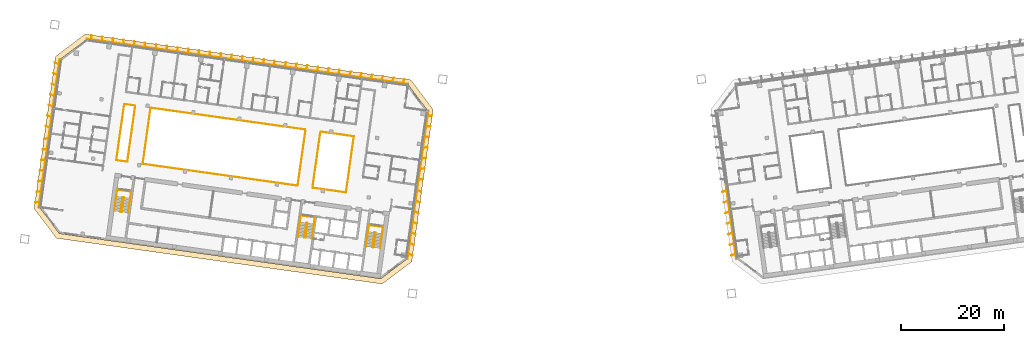
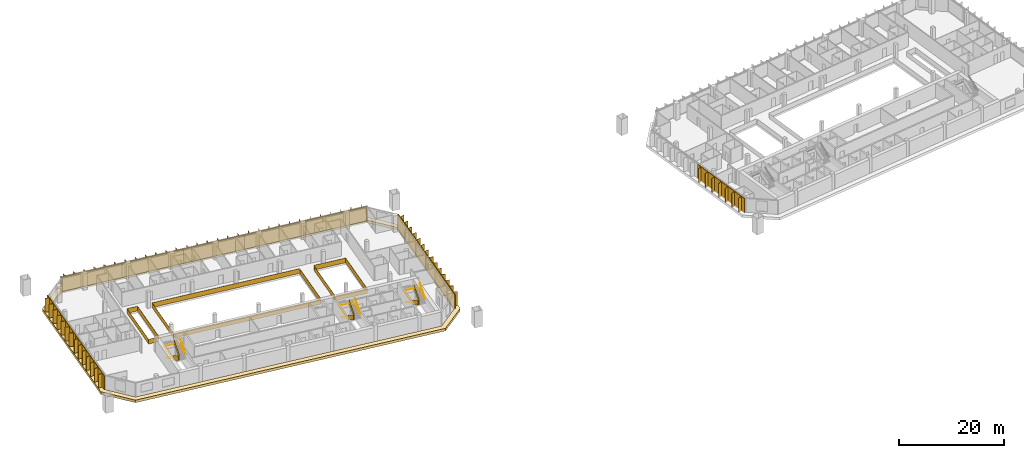
# One storey, part 23 of 24: 11 railings, 10 shading devices, 1 covering.
"""IFC4 building model written with IfcOpenShell, lengths in metres."""

from ifc_helpers import new_model, si_unit, direction, frame, origin, origin_2d, place, context, subcontext, project, spatial, polyline, rectangle, outline, extrude, material, layer, layer_set, type_object, element, save


model = new_model("IFC4")

# Units and contexts
model_context = context("Model", 3, precision=1e-05, world=origin(), true_north=direction((0.0, 1.0)))
body_context = subcontext(model_context, "Body", "Model", "MODEL_VIEW")
ifc_project = project(units=[si_unit("LENGTHUNIT", "METRE"), si_unit("AREAUNIT", "SQUARE_METRE"), si_unit("VOLUMEUNIT", "CUBIC_METRE"), si_unit("PLANEANGLEUNIT", "RADIAN"), si_unit("MASSUNIT", "GRAM", prefix="KILO")], contexts=[model_context])

# Site, building, storey
site_placement = place(None, origin())
site = spatial("IfcSite", under=ifc_project, at=site_placement, CompositionType="ELEMENT")
building_placement = place(site_placement, origin())
building = spatial("IfcBuilding", under=site, at=building_placement, Name="Mirante Cascada Hotel Towers", CompositionType="ELEMENT")
storey_placement = place(building_placement, frame((0.0, 0.0, 110.1)))
storey = spatial("IfcBuildingStorey", under=building, at=storey_placement, Name="L24", CompositionType="ELEMENT", Elevation=110.1)

# Railings
ifc_material_1 = material(Name="Toughened glass with stainless steel handrail", Category="steel")
railing_type_1 = type_object("IfcRailingType", Name="Atrium guard 1100 glass balustrade", PredefinedType="GUARDRAIL", material=ifc_material_1)
railing_1_placement = place(storey_placement, frame((-48.76, 8.3112, 0.0)))
element("IfcRailing", 1, at=railing_1_placement, inside=storey, type_object=railing_type_1, Name="GUARD 1-L24-1", PredefinedType="GUARDRAIL", context=body_context, shape_type="SweptSolid", body=[
    extrude(rectangle(XDim=0.048, YDim=0.048, at=origin_2d()), frame((0.0, 0.0, 1.076), z_axis=(0.9902694, -0.1391638, 0.0), x_axis=(0.1391638, 0.9902694, 0.0)), (0.0, 0.0, 1.0), 6.5125),
    extrude(rectangle(XDim=0.02, YDim=1.052, at=origin_2d()), frame((0.0, 0.0, 0.526), z_axis=(0.9902694, -0.1391638, 0.0), x_axis=(0.1391638, 0.9902694, 0.0)), (0.0, 0.0, 1.0), 6.5125),
    extrude(rectangle(XDim=0.048, YDim=0.048, at=origin_2d()), frame((6.4491, -0.9063, 1.076), z_axis=(-0.1391721, -0.9902682, 0.0), x_axis=(0.9902682, -0.1391721, 0.0)), (0.0, 0.0, 1.0), 11.0001),
    extrude(rectangle(XDim=0.02, YDim=1.052, at=origin_2d()), frame((6.4491, -0.9063, 0.526), z_axis=(-0.1391721, -0.9902682, 0.0), x_axis=(0.9902682, -0.1391721, 0.0)), (0.0, 0.0, 1.0), 11.0001),
    extrude(rectangle(XDim=0.048, YDim=0.048, at=origin_2d()), frame((4.9182, -11.7993, 1.076), z_axis=(-0.9902673, 0.1391788, 0.0), x_axis=(-0.1391788, -0.9902673, 0.0)), (0.0, 0.0, 1.0), 6.5125),
    extrude(rectangle(XDim=0.02, YDim=1.052, at=origin_2d()), frame((4.9182, -11.7993, 0.526), z_axis=(-0.9902673, 0.1391788, 0.0), x_axis=(-0.1391788, -0.9902673, 0.0)), (0.0, 0.0, 1.0), 6.5125),
])
railing_2_placement = place(storey_placement, frame((-53.2617, -2.1642, 0.0)))
element("IfcRailing", 2, at=railing_2_placement, inside=storey, type_object=railing_type_1, Name="GUARD 1-L24-2", PredefinedType="GUARDRAIL", context=body_context, shape_type="SweptSolid", body=[
    extrude(rectangle(XDim=0.048, YDim=0.048, at=origin_2d()), frame((0.0, 0.0, 1.076), z_axis=(-0.9902682, 0.1391722, 0.0), x_axis=(-0.1391722, -0.9902682, 0.0)), (0.0, 0.0, 1.0), 30.325),
    extrude(rectangle(XDim=0.02, YDim=1.052, at=origin_2d()), frame((0.0, 0.0, 0.526), z_axis=(-0.9902682, 0.1391722, 0.0), x_axis=(-0.1391722, -0.9902682, 0.0)), (0.0, 0.0, 1.0), 30.325),
    extrude(rectangle(XDim=0.048, YDim=0.048, at=origin_2d()), frame((-30.0299, 4.2204, 1.076), z_axis=(0.1391721, 0.9902682, 0.0), x_axis=(-0.9902682, 0.1391721, 0.0)), (0.0, 0.0, 1.0), 11.0001),
    extrude(rectangle(XDim=0.02, YDim=1.052, at=origin_2d()), frame((-30.0299, 4.2204, 0.526), z_axis=(0.1391721, 0.9902682, 0.0), x_axis=(-0.9902682, 0.1391721, 0.0)), (0.0, 0.0, 1.0), 11.0001),
    extrude(rectangle(XDim=0.048, YDim=0.048, at=origin_2d()), frame((-28.499, 15.1134, 1.076), z_axis=(0.9902682, -0.1391722, 0.0), x_axis=(0.1391722, 0.9902682, 0.0)), (0.0, 0.0, 1.0), 30.325),
    extrude(rectangle(XDim=0.02, YDim=1.052, at=origin_2d()), frame((-28.499, 15.1134, 0.526), z_axis=(0.9902682, -0.1391722, 0.0), x_axis=(0.1391722, 0.9902682, 0.0)), (0.0, 0.0, 1.0), 30.325),
])
railing_3_placement = place(storey_placement, frame((-86.2624, 2.4738, 0.0)))
element("IfcRailing", 3, at=railing_3_placement, inside=storey, type_object=railing_type_1, Name="GUARD 1-L24-3", PredefinedType="GUARDRAIL", context=body_context, shape_type="SweptSolid", body=[
    extrude(rectangle(XDim=0.048, YDim=0.048, at=origin_2d()), frame((0.0, 0.0, 1.076), z_axis=(-0.9902724, 0.1391422, 0.0), x_axis=(-0.1391422, -0.9902724, 0.0)), (0.0, 0.0, 1.0), 2.1625),
    extrude(rectangle(XDim=0.02, YDim=1.052, at=origin_2d()), frame((0.0, 0.0, 0.526), z_axis=(-0.9902724, 0.1391422, 0.0), x_axis=(-0.1391422, -0.9902724, 0.0)), (0.0, 0.0, 1.0), 2.1625),
    extrude(rectangle(XDim=0.048, YDim=0.048, at=origin_2d()), frame((-2.1415, 0.3009, 1.076), z_axis=(0.1391721, 0.9902682, 0.0), x_axis=(-0.9902682, 0.1391721, 0.0)), (0.0, 0.0, 1.0), 11.0001),
    extrude(rectangle(XDim=0.02, YDim=1.052, at=origin_2d()), frame((-2.1415, 0.3009, 0.526), z_axis=(0.1391721, 0.9902682, 0.0), x_axis=(-0.9902682, 0.1391721, 0.0)), (0.0, 0.0, 1.0), 11.0001),
    extrude(rectangle(XDim=0.048, YDim=0.048, at=origin_2d()), frame((-0.6106, 11.1939, 1.076), z_axis=(0.990266, -0.1391875, 0.0), x_axis=(0.1391875, 0.990266, 0.0)), (0.0, 0.0, 1.0), 2.1626),
    extrude(rectangle(XDim=0.02, YDim=1.052, at=origin_2d()), frame((-0.6106, 11.1939, 0.526), z_axis=(0.990266, -0.1391875, 0.0), x_axis=(0.1391875, 0.990266, 0.0)), (0.0, 0.0, 1.0), 2.1626),
    extrude(rectangle(XDim=0.048, YDim=0.048, at=origin_2d()), frame((1.5309, 10.8929, 1.076), z_axis=(-0.1391733, -0.990268, 0.0), x_axis=(0.990268, -0.1391733, 0.0)), (0.0, 0.0, 1.0), 11.0),
    extrude(rectangle(XDim=0.02, YDim=1.052, at=origin_2d()), frame((1.5309, 10.8929, 0.526), z_axis=(-0.1391733, -0.990268, 0.0), x_axis=(0.990268, -0.1391733, 0.0)), (0.0, 0.0, 1.0), 11.0),
])
railing_4_placement = place(storey_placement, frame((-53.172, -1.8782, 0.0)))
element("IfcRailing", 4, at=railing_4_placement, inside=storey, type_object=railing_type_1, Name="GUARD 1-L24-4", PredefinedType="GUARDRAIL", context=body_context, shape_type="SweptSolid", body=[
    extrude(rectangle(XDim=0.048, YDim=0.048, at=origin_2d()), frame((0.0, 0.0, 1.076), z_axis=(0.1391721, 0.9902682, 0.0), x_axis=(-0.9902682, 0.1391721, 0.0)), (0.0, 0.0, 1.0), 10.4087),
    extrude(rectangle(XDim=0.02, YDim=1.052, at=origin_2d()), frame((0.0, 0.0, 0.526), z_axis=(0.1391721, 0.9902682, 0.0), x_axis=(-0.9902682, 0.1391721, 0.0)), (0.0, 0.0, 1.0), 10.4087),
])
railing_5_placement = place(storey_placement, frame((-48.8497, 8.0253, 0.0)))
element("IfcRailing", 5, at=railing_5_placement, inside=storey, type_object=railing_type_1, Name="GUARD 1-L24-5", PredefinedType="GUARDRAIL", context=body_context, shape_type="SweptSolid", body=[
    extrude(rectangle(XDim=0.048, YDim=0.048, at=origin_2d()), frame((0.0, 0.0, 1.076), z_axis=(-0.1391708, -0.9902684, 0.0), x_axis=(0.9902684, -0.1391708, 0.0)), (0.0, 0.0, 1.0), 10.4088),
    extrude(rectangle(XDim=0.02, YDim=1.052, at=origin_2d()), frame((0.0, 0.0, 0.526), z_axis=(-0.1391708, -0.9902684, 0.0), x_axis=(0.9902684, -0.1391708, 0.0)), (0.0, 0.0, 1.0), 10.4088),
])

# Covering
ifc_material_2 = material(Name="Precast concrete C40/50 white", Category="concrete")
ifc_layer = layer(ifc_material_2, 0.6)
ifc_layer_set = layer_set([ifc_layer], Name="Precast concrete SUNSHADE band 1000x600")
covering_type = type_object("IfcCoveringType", Name="Precast concrete SUNSHADE band 1000x600", PredefinedType="CLADDING", material=ifc_layer_set)
covering_placement = place(storey_placement, frame((0.0, 0.0, -0.45)))
element("IfcCovering", 6, at=covering_placement, inside=storey, type_object=covering_type, Name="Precast concrete SUNSHADE band T1 L24", PredefinedType="CLADDING", context=body_context, shape_type="SweptSolid", body=[
    extrude(outline(polyline([(-104.3652, -6.6094), (-100.2139, 22.9287), (-94.4698, 27.2572), (-31.2626, 18.374), (-26.9341, 12.6299), (-31.0854, -16.9082), (-36.8295, -21.2367), (-100.0367, -12.3535), (-104.3652, -6.6094)]), holes=[polyline([(-27.982, 12.3589), (-31.8119, 17.4414), (-94.1988, 26.2093), (-99.2813, 22.3794), (-103.3173, -6.3384), (-99.4874, -11.4209), (-37.1005, -20.1888), (-32.018, -16.3589), (-27.982, 12.3589)])]), origin(), (0.0, 0.0, 1.0), 0.6),
])

# Railings
ifc_material_3 = material(Name="Painted steel", Category="steel")
railing_type_2 = type_object("IfcRailingType", Name="Stair guard 1100 steel balustrade", PredefinedType="GUARDRAIL", material=ifc_material_3)
railing_6_placement = place(storey_placement, frame((-38.1178, -11.2603, 0.0)))
element("IfcRailing", 7, at=railing_6_placement, inside=storey, type_object=railing_type_2, Name="L24 ST1-A stair guard 1", PredefinedType="GUARDRAIL", context=body_context, shape_type="SweptSolid", body=[
    extrude(rectangle(XDim=0.048, YDim=0.048, at=origin_2d()), frame((0.0, 0.0, 1.076), z_axis=(-0.9903326, 0.1387133, 0.0), x_axis=(-0.1387133, -0.9903326, 0.0)), (0.0, 0.0, 1.0), 0.1499),
    extrude(rectangle(XDim=0.02, YDim=1.052, at=origin_2d()), frame((0.0, 0.0, 0.526), z_axis=(-0.9903326, 0.1387133, 0.0), x_axis=(-0.1387133, -0.9903326, 0.0)), (0.0, 0.0, 1.0), 0.1499),
    extrude(rectangle(XDim=0.048, YDim=0.048, at=origin_2d()), frame((-0.1485, 0.0208, 1.076), z_axis=(-0.7991505, -0.6011309, 0.0), x_axis=(0.6011309, -0.7991505, 0.0)), (0.0, 0.9254529, 0.3788627), 0.1866),
    extrude(rectangle(XDim=0.02, YDim=1.052, at=origin_2d()), frame((-0.1485, 0.0208, 0.526), z_axis=(-0.7991505, -0.6011309, 0.0), x_axis=(0.6011309, -0.7991505, 0.0)), (0.0, 0.9254529, 0.3788627), 0.1866),
    extrude(rectangle(XDim=0.048, YDim=0.048, at=origin_2d()), frame((-0.205, -0.0217, 1.2487), z_axis=(-0.139176, -0.9902677, 0.0), x_axis=(0.9902677, -0.139176, 0.0)), (0.0, 0.5250212, 0.8510891), 3.29),
    extrude(rectangle(XDim=0.02, YDim=1.052, at=origin_2d()), frame((-0.205, -0.0217, 0.6987), z_axis=(-0.139176, -0.9902677, 0.0), x_axis=(0.9902677, -0.139176, 0.0)), (0.0, 0.5250212, 0.8510891), 3.29),
    extrude(rectangle(XDim=0.048, YDim=0.048, at=origin_2d()), frame((-0.5947, -2.7945, 2.976), z_axis=(0.9270311, -0.3749843, 0.0), x_axis=(0.3749843, 0.9270311, 0.0)), (0.0, 0.0, 1.0), 0.2061),
    extrude(rectangle(XDim=0.02, YDim=1.052, at=origin_2d()), frame((-0.5947, -2.7945, 2.426), z_axis=(0.9270311, -0.3749843, 0.0), x_axis=(0.3749843, 0.9270311, 0.0)), (0.0, 0.0, 1.0), 0.2061),
    extrude(rectangle(XDim=0.048, YDim=0.048, at=origin_2d()), frame((-0.4036, -2.8718, 2.976), z_axis=(-0.9902408, 0.1393672, 0.0), x_axis=(-0.1393672, -0.9902408, 0.0)), (0.0, 0.0, 1.0), 0.15),
    extrude(rectangle(XDim=0.02, YDim=1.052, at=origin_2d()), frame((-0.4036, -2.8718, 2.426), z_axis=(-0.9902408, 0.1393672, 0.0), x_axis=(-0.1393672, -0.9902408, 0.0)), (0.0, 0.0, 1.0), 0.15),
    extrude(rectangle(XDim=0.048, YDim=0.048, at=origin_2d()), frame((-0.5521, -2.8509, 2.976), z_axis=(0.9944948, 0.1047858, 0.0), x_axis=(-0.1047858, 0.9944948, 0.0)), (0.0, 0.6422034, 0.7665343), 0.2689),
    extrude(rectangle(XDim=0.02, YDim=1.052, at=origin_2d()), frame((-0.5521, -2.8509, 2.426), z_axis=(0.9944948, 0.1047858, 0.0), x_axis=(-0.1047858, 0.9944948, 0.0)), (0.0, 0.6422034, 0.7665343), 0.2689),
    extrude(rectangle(XDim=0.048, YDim=0.048, at=origin_2d()), frame((-0.3471, -2.8293, 3.1487), z_axis=(0.139176, 0.9902677, 0.0), x_axis=(-0.9902677, 0.139176, 0.0)), (0.0, 0.5250212, 0.8510891), 3.29),
    extrude(rectangle(XDim=0.02, YDim=1.052, at=origin_2d()), frame((-0.3471, -2.8293, 2.5987), z_axis=(0.139176, 0.9902677, 0.0), x_axis=(-0.9902677, 0.139176, 0.0)), (0.0, 0.5250212, 0.8510891), 3.29),
])
railing_7_placement = place(storey_placement, frame((-51.3379, -9.4024, 0.0)))
element("IfcRailing", 8, at=railing_7_placement, inside=storey, type_object=railing_type_2, Name="L24 ST1-B stair guard 1", PredefinedType="GUARDRAIL", context=body_context, shape_type="SweptSolid", body=[
    extrude(rectangle(XDim=0.048, YDim=0.048, at=origin_2d()), frame((0.0, 0.0, 1.076), z_axis=(-0.9902408, 0.1393672, 0.0), x_axis=(-0.1393672, -0.9902408, 0.0)), (0.0, 0.0, 1.0), 0.15),
    extrude(rectangle(XDim=0.02, YDim=1.052, at=origin_2d()), frame((0.0, 0.0, 0.526), z_axis=(-0.9902408, 0.1393672, 0.0), x_axis=(-0.1393672, -0.9902408, 0.0)), (0.0, 0.0, 1.0), 0.15),
    extrude(rectangle(XDim=0.048, YDim=0.048, at=origin_2d()), frame((-0.1485, 0.0209, 1.076), z_axis=(-0.7984711, -0.6020331, 0.0), x_axis=(0.6020331, -0.7984711, 0.0)), (0.0, 0.9253398, 0.3791387), 0.1866),
    extrude(rectangle(XDim=0.02, YDim=1.052, at=origin_2d()), frame((-0.1485, 0.0209, 0.526), z_axis=(-0.7984711, -0.6020331, 0.0), x_axis=(0.6020331, -0.7984711, 0.0)), (0.0, 0.9253398, 0.3791387), 0.1866),
    extrude(rectangle(XDim=0.048, YDim=0.048, at=origin_2d()), frame((-0.205, -0.0217, 1.2487), z_axis=(-0.139181, -0.990267, 0.0), x_axis=(0.990267, -0.139181, 0.0)), (0.0, 0.5250347, 0.8510808), 3.2899),
    extrude(rectangle(XDim=0.02, YDim=1.052, at=origin_2d()), frame((-0.205, -0.0217, 0.6987), z_axis=(-0.139181, -0.990267, 0.0), x_axis=(0.990267, -0.139181, 0.0)), (0.0, 0.5250347, 0.8510808), 3.2899),
    extrude(rectangle(XDim=0.048, YDim=0.048, at=origin_2d()), frame((-0.5947, -2.7944, 2.976), z_axis=(0.9268624, -0.3754011, 0.0), x_axis=(0.3754011, 0.9268624, 0.0)), (0.0, 0.0, 1.0), 0.2062),
    extrude(rectangle(XDim=0.02, YDim=1.052, at=origin_2d()), frame((-0.5947, -2.7944, 2.426), z_axis=(0.9268624, -0.3754011, 0.0), x_axis=(0.3754011, 0.9268624, 0.0)), (0.0, 0.0, 1.0), 0.2062),
    extrude(rectangle(XDim=0.048, YDim=0.048, at=origin_2d()), frame((-0.4036, -2.8718, 2.976), z_axis=(-0.9902408, 0.1393672, 0.0), x_axis=(-0.1393672, -0.9902408, 0.0)), (0.0, 0.0, 1.0), 0.15),
    extrude(rectangle(XDim=0.02, YDim=1.052, at=origin_2d()), frame((-0.4036, -2.8718, 2.426), z_axis=(-0.9902408, 0.1393672, 0.0), x_axis=(-0.1393672, -0.9902408, 0.0)), (0.0, 0.0, 1.0), 0.15),
    extrude(rectangle(XDim=0.048, YDim=0.048, at=origin_2d()), frame((-0.5521, -2.8509, 2.976), z_axis=(0.9944441, 0.1052656, 0.0), x_axis=(-0.1052656, 0.9944441, 0.0)), (0.0, 0.6421842, 0.7665504), 0.2689),
    extrude(rectangle(XDim=0.02, YDim=1.052, at=origin_2d()), frame((-0.5521, -2.8509, 2.426), z_axis=(0.9944441, 0.1052656, 0.0), x_axis=(-0.1052656, 0.9944441, 0.0)), (0.0, 0.6421842, 0.7665504), 0.2689),
    extrude(rectangle(XDim=0.048, YDim=0.048, at=origin_2d()), frame((-0.3471, -2.8292, 3.1487), z_axis=(0.139181, 0.990267, 0.0), x_axis=(-0.990267, 0.139181, 0.0)), (0.0, 0.5250347, 0.8510808), 3.2899),
    extrude(rectangle(XDim=0.02, YDim=1.052, at=origin_2d()), frame((-0.3471, -2.8292, 2.5987), z_axis=(0.139181, 0.990267, 0.0), x_axis=(-0.990267, 0.139181, 0.0)), (0.0, 0.5250347, 0.8510808), 3.2899),
])
railing_8_placement = place(storey_placement, frame((-86.9875, -4.3922, 0.0)))
element("IfcRailing", 9, at=railing_8_placement, inside=storey, type_object=railing_type_2, Name="L24 ST1-C stair guard 1", PredefinedType="GUARDRAIL", context=body_context, shape_type="SweptSolid", body=[
    extrude(rectangle(XDim=0.048, YDim=0.048, at=origin_2d()), frame((0.0, 0.0, 1.076), z_axis=(-0.9902537, 0.1392753, 0.0), x_axis=(-0.1392753, -0.9902537, 0.0)), (0.0, 0.0, 1.0), 0.1501),
    extrude(rectangle(XDim=0.02, YDim=1.052, at=origin_2d()), frame((0.0, 0.0, 0.526), z_axis=(-0.9902537, 0.1392753, 0.0), x_axis=(-0.1392753, -0.9902537, 0.0)), (0.0, 0.0, 1.0), 0.1501),
    extrude(rectangle(XDim=0.048, YDim=0.048, at=origin_2d()), frame((-0.1486, 0.0209, 1.076), z_axis=(-0.7986386, -0.601811, 0.0), x_axis=(0.601811, -0.7986386, 0.0)), (0.0, 0.925603, 0.3784959), 0.1866),
    extrude(rectangle(XDim=0.02, YDim=1.052, at=origin_2d()), frame((-0.1486, 0.0209, 0.526), z_axis=(-0.7986386, -0.601811, 0.0), x_axis=(0.601811, -0.7986386, 0.0)), (0.0, 0.925603, 0.3784959), 0.1866),
    extrude(rectangle(XDim=0.048, YDim=0.048, at=origin_2d()), frame((-0.205, -0.0216, 1.2487), z_axis=(-0.139176, -0.9902677, 0.0), x_axis=(0.9902677, -0.139176, 0.0)), (0.0, 0.5250212, 0.8510891), 3.29),
    extrude(rectangle(XDim=0.02, YDim=1.052, at=origin_2d()), frame((-0.205, -0.0216, 0.6987), z_axis=(-0.139176, -0.9902677, 0.0), x_axis=(0.9902677, -0.139176, 0.0)), (0.0, 0.5250212, 0.8510891), 3.29),
    extrude(rectangle(XDim=0.048, YDim=0.048, at=origin_2d()), frame((-0.5947, -2.7944, 2.976), z_axis=(0.9270311, -0.3749843, 0.0), x_axis=(0.3749843, 0.9270311, 0.0)), (0.0, 0.0, 1.0), 0.2061),
    extrude(rectangle(XDim=0.02, YDim=1.052, at=origin_2d()), frame((-0.5947, -2.7944, 2.426), z_axis=(0.9270311, -0.3749843, 0.0), x_axis=(0.3749843, 0.9270311, 0.0)), (0.0, 0.0, 1.0), 0.2061),
    extrude(rectangle(XDim=0.048, YDim=0.048, at=origin_2d()), frame((-0.4036, -2.8717, 2.976), z_axis=(-0.9903454, 0.1386217, 0.0), x_axis=(-0.1386217, -0.9903454, 0.0)), (0.0, 0.0, 1.0), 0.15),
    extrude(rectangle(XDim=0.02, YDim=1.052, at=origin_2d()), frame((-0.4036, -2.8717, 2.426), z_axis=(-0.9903454, 0.1386217, 0.0), x_axis=(-0.1386217, -0.9903454, 0.0)), (0.0, 0.0, 1.0), 0.15),
    extrude(rectangle(XDim=0.048, YDim=0.048, at=origin_2d()), frame((-0.5522, -2.8509, 2.976), z_axis=(0.9944441, 0.1052656, 0.0), x_axis=(-0.1052656, 0.9944441, 0.0)), (0.0, 0.6421842, 0.7665504), 0.2689),
    extrude(rectangle(XDim=0.02, YDim=1.052, at=origin_2d()), frame((-0.5522, -2.8509, 2.426), z_axis=(0.9944441, 0.1052656, 0.0), x_axis=(-0.1052656, 0.9944441, 0.0)), (0.0, 0.6421842, 0.7665504), 0.2689),
    extrude(rectangle(XDim=0.048, YDim=0.048, at=origin_2d()), frame((-0.3472, -2.8292, 3.1487), z_axis=(0.139176, 0.9902677, 0.0), x_axis=(-0.9902677, 0.139176, 0.0)), (0.0, 0.5250212, 0.8510891), 3.29),
    extrude(rectangle(XDim=0.02, YDim=1.052, at=origin_2d()), frame((-0.3472, -2.8292, 2.5987), z_axis=(0.139176, 0.9902677, 0.0), x_axis=(-0.9902677, 0.139176, 0.0)), (0.0, 0.5250212, 0.8510891), 3.29),
])
ifc_material_4 = material(Name="Painted steel", Category="steel")
railing_type_3 = type_object("IfcRailingType", Name="Stair handrail 900 steel tube", PredefinedType="HANDRAIL", material=ifc_material_4)
railing_9_placement = place(storey_placement, frame((-39.5606, -11.1081, 0.1727)))
element("IfcRailing", 10, at=railing_9_placement, inside=storey, type_object=railing_type_3, Name="L24 ST1-A stair handrail 1", PredefinedType="HANDRAIL", context=body_context, shape_type="SweptSolid", body=[
    extrude(rectangle(XDim=0.048, YDim=0.048, at=origin_2d()), frame((0.0, 0.0, 0.876), z_axis=(-0.139181, -0.990267, 0.0), x_axis=(0.990267, -0.139181, 0.0)), (0.0, 0.5250347, 0.8510808), 3.2899),
    extrude(rectangle(XDim=0.048, YDim=0.048, at=origin_2d()), frame((-0.3897, -2.7727, 2.6033), z_axis=(0.1391707, 0.9902684, 0.0), x_axis=(-0.9902684, 0.1391707, 0.0)), (0.0, 0.0420846, 0.999114), 4.1036),
    extrude(rectangle(XDim=0.048, YDim=0.048, at=origin_2d()), frame((0.1809, 1.2874, 2.776), z_axis=(0.9902691, -0.1391657, 0.0), x_axis=(0.1391657, 0.9902691, 0.0)), (0.0, 0.0, 1.0), 2.75),
    extrude(rectangle(XDim=0.048, YDim=0.048, at=origin_2d()), frame((2.9041, 0.9047, 2.776), z_axis=(-0.1391707, -0.9902684, 0.0), x_axis=(0.9902684, -0.1391707, 0.0)), (0.0, 0.0, 1.0), 4.1),
    extrude(rectangle(XDim=0.048, YDim=0.048, at=origin_2d()), frame((2.3335, -3.1554, 2.776), z_axis=(0.139181, 0.990267, 0.0), x_axis=(-0.990267, 0.139181, 0.0)), (0.0, 0.5250347, 0.8510808), 3.2899),
])
railing_10_placement = place(storey_placement, frame((-52.7807, -9.2501, 0.1727)))
element("IfcRailing", 11, at=railing_10_placement, inside=storey, type_object=railing_type_3, Name="L24 ST1-B stair handrail 1", PredefinedType="HANDRAIL", context=body_context, shape_type="SweptSolid", body=[
    extrude(rectangle(XDim=0.048, YDim=0.048, at=origin_2d()), frame((0.0, 0.0, 0.876), z_axis=(-0.139181, -0.990267, 0.0), x_axis=(0.990267, -0.139181, 0.0)), (0.0, 0.5250347, 0.8510808), 3.2899),
    extrude(rectangle(XDim=0.048, YDim=0.048, at=origin_2d()), frame((-0.3897, -2.7727, 2.6033), z_axis=(0.1391707, 0.9902684, 0.0), x_axis=(-0.9902684, 0.1391707, 0.0)), (0.0, 0.0420846, 0.999114), 4.1036),
    extrude(rectangle(XDim=0.048, YDim=0.048, at=origin_2d()), frame((0.1809, 1.2874, 2.776), z_axis=(0.9902641, -0.1392013, 0.0), x_axis=(0.1392013, 0.9902641, 0.0)), (0.0, 0.0, 1.0), 2.75),
    extrude(rectangle(XDim=0.048, YDim=0.048, at=origin_2d()), frame((2.9041, 0.9046, 2.776), z_axis=(-0.1391707, -0.9902684, 0.0), x_axis=(0.9902684, -0.1391707, 0.0)), (0.0, 0.0, 1.0), 4.1),
    extrude(rectangle(XDim=0.048, YDim=0.048, at=origin_2d()), frame((2.3335, -3.1555, 2.776), z_axis=(0.139176, 0.9902677, 0.0), x_axis=(-0.9902677, 0.139176, 0.0)), (0.0, 0.5250212, 0.8510891), 3.29),
])
railing_11_placement = place(storey_placement, frame((-88.4304, -4.2399, 0.1727)))
element("IfcRailing", 12, at=railing_11_placement, inside=storey, type_object=railing_type_3, Name="L24 ST1-C stair handrail 1", PredefinedType="HANDRAIL", context=body_context, shape_type="SweptSolid", body=[
    extrude(rectangle(XDim=0.048, YDim=0.048, at=origin_2d()), frame((0.0, 0.0, 0.876), z_axis=(-0.139181, -0.990267, 0.0), x_axis=(0.990267, -0.139181, 0.0)), (0.0, 0.5250347, 0.8510808), 3.2899),
    extrude(rectangle(XDim=0.048, YDim=0.048, at=origin_2d()), frame((-0.3897, -2.7727, 2.6033), z_axis=(0.1391947, 0.990265, 0.0), x_axis=(-0.990265, 0.1391947, 0.0)), (0.0, 0.0420845, 0.9991141), 4.1036),
    extrude(rectangle(XDim=0.048, YDim=0.048, at=origin_2d()), frame((0.181, 1.2874, 2.776), z_axis=(0.9902691, -0.1391657, 0.0), x_axis=(0.1391657, 0.9902691, 0.0)), (0.0, 0.0, 1.0), 2.75),
    extrude(rectangle(XDim=0.048, YDim=0.048, at=origin_2d()), frame((2.9042, 0.9047, 2.776), z_axis=(-0.1391707, -0.9902684, 0.0), x_axis=(0.9902684, -0.1391707, 0.0)), (0.0, 0.0, 1.0), 4.1),
    extrude(rectangle(XDim=0.048, YDim=0.048, at=origin_2d()), frame((2.3336, -3.1554, 2.776), z_axis=(0.139181, 0.990267, 0.0), x_axis=(-0.990267, 0.139181, 0.0)), (0.0, 0.5250347, 0.8510808), 3.2899),
])

# Shading devices
ifc_material_5 = material(Name="White precast concrete C50/60 fin", Category="concrete")
shading_device_type = type_object("IfcShadingDeviceType", Name="Vertical fin set 4500x900", PredefinedType="USERDEFINED", material=ifc_material_5)
shading_device_1_placement = place(storey_placement, origin())
element("IfcShadingDevice", 13, at=shading_device_1_placement, inside=storey, type_object=shading_device_type, Name="FIN T1 L24 front 1", ObjectType="FIN", PredefinedType="USERDEFINED", context=body_context, shape_type="SweptSolid", body=[
    extrude(outline(polyline([(-82.8173, 25.599), (-82.7126, 24.7465), (-81.7006, 24.6042), (-81.7214, 24.4557), (-94.1988, 26.2093), (-94.1779, 26.3578), (-93.1924, 26.2193), (-93.2945, 27.0506), (-93.2151, 27.0603), (-93.1104, 26.2078), (-91.1129, 25.9271), (-91.2149, 26.7583), (-91.1355, 26.7681), (-91.0308, 25.9155), (-89.0333, 25.6348), (-89.1354, 26.4661), (-89.056, 26.4758), (-88.9513, 25.6233), (-86.9537, 25.3425), (-87.0558, 26.1738), (-86.9764, 26.1835), (-86.8717, 25.331), (-84.8742, 25.0503), (-84.9762, 25.8815), (-84.8968, 25.8913), (-84.7922, 25.0387), (-82.7946, 24.758), (-82.8967, 25.5893), (-82.8173, 25.599)])), origin(), (0.0, 0.0, 1.0), 3.35),
])
shading_device_2_placement = place(storey_placement, origin())
element("IfcShadingDevice", 14, at=shading_device_2_placement, inside=storey, type_object=shading_device_type, Name="FIN T1 L24 front 2", ObjectType="FIN", PredefinedType="USERDEFINED", context=body_context, shape_type="SweptSolid", body=[
    extrude(outline(polyline([(-70.2221, 23.8469), (-70.2295, 22.9921), (-69.2232, 22.8507), (-69.2441, 22.7021), (-81.7214, 24.4557), (-81.7006, 24.6042), (-80.7072, 24.4646), (-80.6999, 25.3089), (-80.6199, 25.3082), (-80.6273, 24.4534), (-78.6277, 24.1724), (-78.6203, 25.0166), (-78.5403, 25.0159), (-78.5478, 24.1611), (-76.5481, 23.8801), (-76.5407, 24.7244), (-76.4608, 24.7237), (-76.4682, 23.8689), (-74.4686, 23.5878), (-74.4612, 24.4321), (-74.3812, 24.4314), (-74.3886, 23.5766), (-72.389, 23.2956), (-72.3816, 24.1399), (-72.3016, 24.1392), (-72.3091, 23.2844), (-70.3094, 23.0033), (-70.3021, 23.8476), (-70.2221, 23.8469)])), origin(), (0.0, 0.0, 1.0), 3.35),
])
shading_device_3_placement = place(storey_placement, origin())
element("IfcShadingDevice", 15, at=shading_device_3_placement, inside=storey, type_object=shading_device_type, Name="FIN T1 L24 front 3", ObjectType="FIN", PredefinedType="USERDEFINED", context=body_context, shape_type="SweptSolid", body=[
    extrude(outline(polyline([(-57.6277, 22.0794), (-57.746, 21.2376), (-56.7458, 21.0971), (-56.7667, 20.9485), (-69.2441, 22.7021), (-69.2232, 22.8507), (-68.223, 22.7101), (-68.1047, 23.5518), (-68.0255, 23.5407), (-68.1438, 22.699), (-66.1434, 22.4178), (-66.0251, 23.2596), (-65.9459, 23.2484), (-66.0642, 22.4067), (-64.0639, 22.1256), (-63.9456, 22.9673), (-63.8664, 22.9562), (-63.9847, 22.1144), (-61.9843, 21.8333), (-61.866, 22.675), (-61.7868, 22.6639), (-61.9051, 21.8222), (-59.9048, 21.541), (-59.7865, 22.3828), (-59.7072, 22.3716), (-59.8255, 21.5299), (-57.8252, 21.2488), (-57.7069, 22.0905), (-57.6277, 22.0794)])), origin(), (0.0, 0.0, 1.0), 3.35),
])
shading_device_4_placement = place(storey_placement, origin())
element("IfcShadingDevice", 16, at=shading_device_4_placement, inside=storey, type_object=shading_device_type, Name="FIN T1 L24 front 4", ObjectType="FIN", PredefinedType="USERDEFINED", context=body_context, shape_type="SweptSolid", body=[
    extrude(outline(polyline([(-45.0361, 20.2967), (-45.2617, 19.4831), (-44.2684, 19.3435), (-44.2893, 19.195), (-56.7667, 20.9485), (-56.7458, 21.0971), (-55.7394, 20.9556), (-55.511, 21.7794), (-55.4339, 21.758), (-55.6595, 20.9444), (-53.6599, 20.6634), (-53.4314, 21.4871), (-53.3544, 21.4657), (-53.58, 20.6521), (-51.5803, 20.3711), (-51.3519, 21.1949), (-51.2748, 21.1735), (-51.5004, 20.3599), (-49.5008, 20.0789), (-49.2723, 20.9026), (-49.1952, 20.8812), (-49.4209, 20.0676), (-47.4212, 19.7866), (-47.1928, 20.6103), (-47.1157, 20.589), (-47.3413, 19.7754), (-45.3416, 19.4943), (-45.1132, 20.3181), (-45.0361, 20.2967)])), origin(), (0.0, 0.0, 1.0), 3.35),
])
shading_device_5_placement = place(storey_placement, origin())
element("IfcShadingDevice", 17, at=shading_device_5_placement, inside=storey, type_object=shading_device_type, Name="FIN T1 L24 front 5", ObjectType="FIN", PredefinedType="USERDEFINED", context=body_context, shape_type="SweptSolid", body=[
    extrude(outline(polyline([(-32.4493, 18.4994), (-32.7765, 17.7284), (-31.791, 17.5899), (-31.8119, 17.4414), (-44.2893, 19.195), (-44.2684, 19.3435), (-43.2564, 19.2013), (-42.9208, 19.9919), (-42.8471, 19.9607), (-43.1744, 19.1897), (-41.1768, 18.909), (-40.8412, 19.6997), (-40.7676, 19.6684), (-41.0948, 18.8975), (-39.0973, 18.6167), (-38.7616, 19.4074), (-38.688, 19.3761), (-39.0152, 18.6052), (-37.0177, 18.3245), (-36.6821, 19.1151), (-36.6084, 19.0839), (-36.9357, 18.3129), (-34.9381, 18.0322), (-34.6025, 18.8229), (-34.5289, 18.7916), (-34.8561, 18.0207), (-32.8586, 17.7399), (-32.5229, 18.5306), (-32.4493, 18.4994)])), origin(), (0.0, 0.0, 1.0), 3.35),
])
shading_device_6_placement = place(storey_placement, origin())
element("IfcShadingDevice", 18, at=shading_device_6_placement, inside=storey, type_object=shading_device_type, Name="FIN T1 L24 inner 1", ObjectType="FIN", PredefinedType="USERDEFINED", context=body_context, shape_type="SweptSolid", body=[
    extrude(outline(polyline([(-29.7112, -1.023), (-29.8515, -2.0209), (-30.0, -2.0), (-27.982, 12.3589), (-27.8334, 12.338), (-27.97, 11.3667), (-27.1387, 11.4687), (-27.1289, 11.3893), (-27.9815, 11.2846), (-28.2583, 9.3154), (-27.427, 9.4174), (-27.4172, 9.338), (-28.2698, 9.2334), (-28.5465, 7.2641), (-27.7153, 7.3662), (-27.7055, 7.2868), (-28.5581, 7.1821), (-28.8348, 5.2128), (-28.0036, 5.3149), (-27.9938, 5.2355), (-28.8464, 5.1308), (-29.1231, 3.1616), (-28.2918, 3.2636), (-28.2821, 3.1842), (-29.1346, 3.0796), (-29.4114, 1.1103), (-28.5801, 1.2124), (-28.5704, 1.133), (-29.4229, 1.0283), (-29.6997, -0.941), (-28.8684, -0.8389), (-28.8587, -0.9183), (-29.7112, -1.023)])), origin(), (0.0, 0.0, 1.0), 3.35),
])
shading_device_7_placement = place(storey_placement, origin())
element("IfcShadingDevice", 19, at=shading_device_7_placement, inside=storey, type_object=shading_device_type, Name="FIN T1 L24 inner 2", ObjectType="FIN", PredefinedType="USERDEFINED", context=body_context, shape_type="SweptSolid", body=[
    extrude(outline(polyline([(-31.733, -15.4084), (-31.8695, -16.3798), (-32.018, -16.3589), (-30.0, -2.0), (-29.8515, -2.0209), (-29.9917, -3.0188), (-29.201, -3.3544), (-29.2323, -3.428), (-30.0032, -3.1008), (-30.28, -5.07), (-29.4893, -5.4057), (-29.5206, -5.4793), (-30.2915, -5.1521), (-30.5683, -7.1213), (-29.7776, -7.4569), (-29.8089, -7.5306), (-30.5798, -7.2033), (-30.8566, -9.1726), (-30.0659, -9.5082), (-30.0972, -9.5818), (-30.8681, -9.2546), (-31.1449, -11.2238), (-30.3542, -11.5595), (-30.3854, -11.6331), (-31.1564, -11.3059), (-31.4331, -13.2751), (-30.6425, -13.6107), (-30.6737, -13.6844), (-31.4447, -13.3571), (-31.7214, -15.3264), (-30.9308, -15.662), (-30.962, -15.7356), (-31.733, -15.4084)])), origin(), (0.0, 0.0, 1.0), 3.35),
])
shading_device_8_placement = place(storey_placement, origin())
element("IfcShadingDevice", 20, at=shading_device_8_placement, inside=storey, type_object=shading_device_type, Name="FIN T1 L24 outer 1", ObjectType="FIN", PredefinedType="USERDEFINED", context=body_context, shape_type="SweptSolid", body=[
    extrude(outline(polyline([(-103.3178, -5.2642), (-103.041, -3.2949), (-103.8723, -3.397), (-103.8821, -3.3176), (-103.0295, -3.2129), (-102.7528, -1.2436), (-103.584, -1.3457), (-103.5938, -1.2663), (-102.7412, -1.1616), (-102.4645, 0.8076), (-103.2957, 0.7056), (-103.3055, 0.785), (-102.4529, 0.8896), (-102.1762, 2.8589), (-103.0075, 2.7568), (-103.0172, 2.8362), (-102.1647, 2.9409), (-101.8879, 4.9102), (-102.7192, 4.8081), (-102.7289, 4.8875), (-101.8764, 4.9922), (-101.5996, 6.9614), (-102.4309, 6.8594), (-102.4406, 6.9388), (-101.5881, 7.0434), (-101.4478, 8.0413), (-101.2993, 8.0205), (-103.3173, -6.3384), (-103.4659, -6.3175), (-103.3293, -5.3462), (-104.1606, -5.4483), (-104.1704, -5.3689), (-103.3178, -5.2642)])), origin(), (0.0, 0.0, 1.0), 3.35),
])
shading_device_9_placement = place(storey_placement, origin())
element("IfcShadingDevice", 21, at=shading_device_9_placement, inside=storey, type_object=shading_device_type, Name="FIN T1 L24 outer 2", ObjectType="FIN", PredefinedType="USERDEFINED", context=body_context, shape_type="SweptSolid", body=[
    extrude(outline(polyline([(-101.2961, 9.1212), (-101.0193, 11.0905), (-101.81, 11.4261), (-101.7787, 11.4998), (-101.0078, 11.1725), (-100.731, 13.1418), (-101.5217, 13.4774), (-101.4904, 13.551), (-100.7195, 13.2238), (-100.4427, 15.193), (-101.2334, 15.5287), (-101.2021, 15.6023), (-100.4312, 15.2751), (-100.1544, 17.2443), (-100.9451, 17.5799), (-100.9139, 17.6536), (-100.1429, 17.3263), (-99.8662, 19.2956), (-100.6568, 19.6312), (-100.6256, 19.7048), (-99.8546, 19.3776), (-99.5779, 21.3469), (-100.3685, 21.6825), (-100.3373, 21.7561), (-99.5663, 21.4289), (-99.4298, 22.4002), (-99.2813, 22.3794), (-101.2993, 8.0205), (-101.4478, 8.0413), (-101.3076, 9.0392), (-102.0983, 9.3749), (-102.067, 9.4485), (-101.2961, 9.1212)])), origin(), (0.0, 0.0, 1.0), 3.35),
])
shading_device_10_placement = place(storey_placement, origin())
element("IfcShadingDevice", 22, at=shading_device_10_placement, inside=storey, type_object=shading_device_type, Name="FIN T2 L24 inner 2", ObjectType="FIN", PredefinedType="USERDEFINED", context=body_context, shape_type="SweptSolid", body=[
    extrude(outline(polyline([(30.9308, -15.662), (31.7214, -15.3264), (31.4447, -13.3571), (30.6737, -13.6844), (30.6425, -13.6107), (31.4331, -13.2751), (31.1564, -11.3059), (30.3854, -11.6331), (30.3542, -11.5595), (31.1449, -11.2238), (30.8681, -9.2546), (30.0972, -9.5818), (30.0659, -9.5082), (30.8566, -9.1726), (30.5798, -7.2033), (29.8089, -7.5306), (29.7776, -7.4569), (30.5683, -7.1213), (30.2915, -5.1521), (29.5206, -5.4793), (29.4893, -5.4057), (30.28, -5.07), (30.0032, -3.1008), (29.2323, -3.428), (29.201, -3.3544), (29.9917, -3.0188), (29.8515, -2.0209), (30.0, -2.0), (32.018, -16.3589), (31.8695, -16.3798), (31.733, -15.4084), (30.962, -15.7356), (30.9308, -15.662)])), origin(), (0.0, 0.0, 1.0), 3.35),
])

save(model, "model.ifc")
